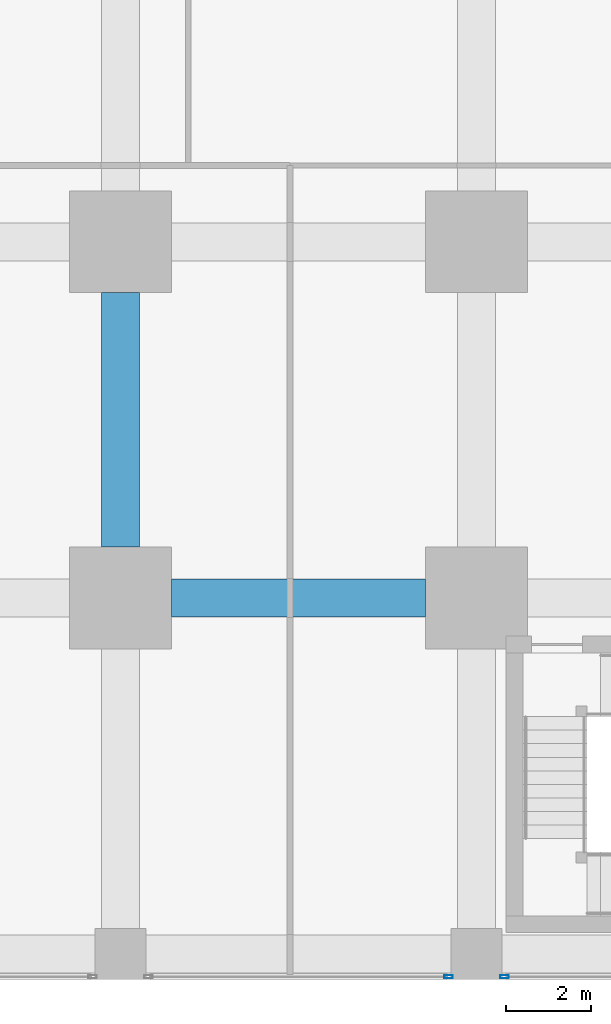
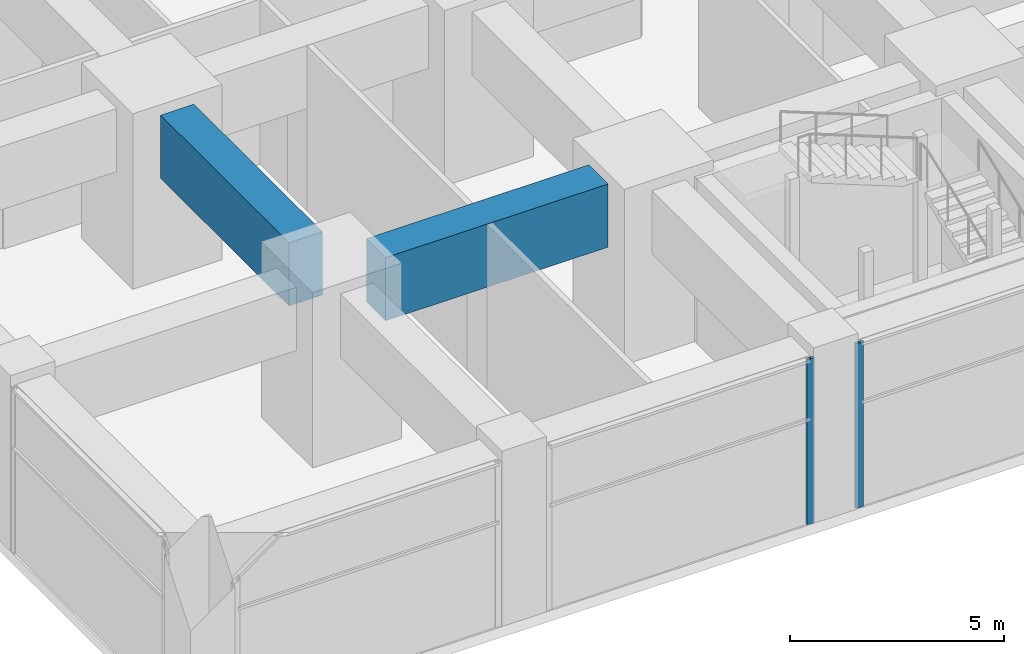
# One storey, part 6 of 49: 2 beams, 2 members, 2 elements without a shape of their own.
"""IFC4 building model written with IfcOpenShell, lengths in metres."""

from ifc_helpers import new_model, si_unit, direction, frame, origin, origin_2d, place, context, subcontext, project, spatial, rectangle, hollow_rectangle, extrude, material, material_profile, profile_set, type_object, element, aggregate, save


model = new_model("IFC4")

# Units and contexts
model_context = context("Model", 3, precision=1e-05, world=origin(), true_north=direction((0.0, 1.0)))
body_context = subcontext(model_context, "Body", "Model", "MODEL_VIEW")
ifc_project = project(units=[si_unit("LENGTHUNIT", "METRE"), si_unit("AREAUNIT", "SQUARE_METRE"), si_unit("VOLUMEUNIT", "CUBIC_METRE"), si_unit("PLANEANGLEUNIT", "RADIAN"), si_unit("MASSUNIT", "GRAM", prefix="KILO")], contexts=[model_context])

# Site, building, storey
site_placement = place(None, origin())
site = spatial("IfcSite", under=ifc_project, at=site_placement, CompositionType="ELEMENT")
building_placement = place(site_placement, origin())
building = spatial("IfcBuilding", under=site, at=building_placement, Name="Rekha Terrace Tower", CompositionType="ELEMENT")
storey_placement = place(building_placement, frame((0.0, 0.0, 5.39990234375)))
storey = spatial("IfcBuildingStorey", under=building, at=storey_placement, Name="L01", CompositionType="ELEMENT", Elevation=5.39990234375)

# Curtain wall, member
ifc_material_1 = material(Name="Aluminium framing", Category="aluminium")
curtain_wall_type = type_object("IfcCurtainWallType", Name="CW4 podium shopfront glazing", PredefinedType="USERDEFINED", material=ifc_material_1)
curtain_wall_1_placement = place(storey_placement, origin())
curtain_wall_1 = element("IfcCurtainWall", 1, at=curtain_wall_1_placement, inside=storey, type_object=curtain_wall_type, Name="CW4 shopfront curtain wall", ObjectType="SHOPFRONT CURTAIN WALL", PredefinedType="USERDEFINED")
ifc_material_2 = material(Name="Aluminium mullion section", Category="aluminium")
ifc_material_profile_1 = material_profile(ifc_material_2, hollow_rectangle(XDim=0.074951171875, YDim=0.199951171875, WallThickness=0.00390625, at=origin_2d()), Name="AL RHS 75x200")
ifc_profile_set_1 = profile_set([ifc_material_profile_1], Name="Aluminium mullion section")
member_type = type_object("IfcMemberType", Name="CW4 mullion RHS 75 x 200", PredefinedType="MULLION", material=ifc_profile_set_1)
member_1_placement = place(storey_placement, frame((16.142578125, -0.5400390625, 0.0), z_axis=(0.0, 0.0, 1.0), x_axis=(0.0, 1.0, 0.0)))
member_1 = element("IfcMember", 2, at=member_1_placement, type_object=member_type, Name="CW4 mullion 2", PredefinedType="MULLION", context=body_context, shape_type="SweptSolid", body=[
    extrude(hollow_rectangle(XDim=0.074951171875, YDim=0.199951171875, WallThickness=0.00390625, at=origin_2d()), origin(), (0.0, 0.0, 1.0), 4.7001953125),
])
aggregate(curtain_wall_1, [member_1])

curtain_wall_2_placement = place(storey_placement, origin())
curtain_wall_2 = element("IfcCurtainWall", 3, at=curtain_wall_2_placement, inside=storey, type_object=curtain_wall_type, Name="CW4 shopfront curtain wall", ObjectType="SHOPFRONT CURTAIN WALL", PredefinedType="USERDEFINED")
member_2_placement = place(storey_placement, frame((17.45751953125, -0.5400390625, 0.0), z_axis=(0.0, 0.0, 1.0), x_axis=(0.0, 1.0, 0.0)))
member_2 = element("IfcMember", 4, at=member_2_placement, type_object=member_type, Name="CW4 mullion 1", PredefinedType="MULLION", context=body_context, shape_type="SweptSolid", body=[
    extrude(hollow_rectangle(XDim=0.074951171875, YDim=0.199951171875, WallThickness=0.00390625, at=origin_2d()), origin(), (0.0, 0.0, 1.0), 4.7001953125),
])
aggregate(curtain_wall_2, [member_2])

# Beams
ifc_material_3 = material(Name="Concrete M60", Category="concrete")
ifc_material_profile_2 = material_profile(ifc_material_3, rectangle(XDim=0.89990234375, YDim=1.800048828125, at=origin_2d()), Name="RC 900x1800")
ifc_profile_set_2 = profile_set([ifc_material_profile_2], Name="Concrete M60")
beam_type = type_object("IfcBeamType", Name="G1 900x1800 podium floor beam", PredefinedType="BEAM", material=ifc_profile_set_2)
for number, where, z_axis, x_axis, name in (
    (5, (9.60009765625, 8.39990234375, 3.800048828125), (1.0, 0.0, 0.0), (0.0, 1.0, 0.0), "Beam G1 2B-3B under L02"),
    (6, (8.39990234375, 9.60009765625, 3.800048828125), (0.0, 1.0, 0.0), (-1.0, 0.0, 0.0), "Beam G1 2B-2C under L02"),
):
    element("IfcBeam", number, at=place(storey_placement, frame(where, z_axis=z_axis, x_axis=x_axis)), inside=storey, type_object=beam_type, Name=name, PredefinedType="BEAM", context=body_context, shape_type="SweptSolid", body=[
        extrude(rectangle(XDim=0.89990234375, YDim=1.800048828125, at=origin_2d()), origin(), (0.0, 0.0, 1.0), 6.0),
    ])

save(model, "model.ifc")
